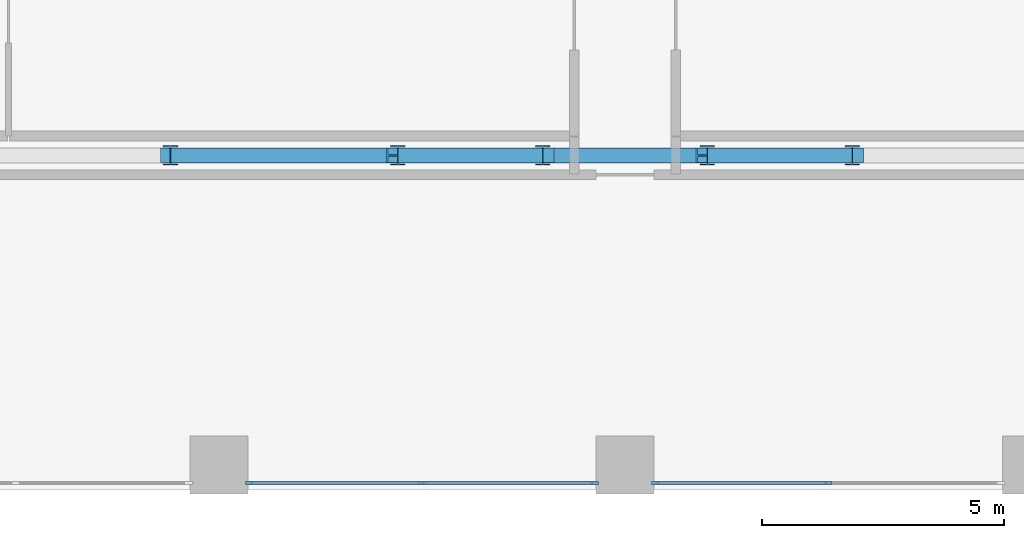
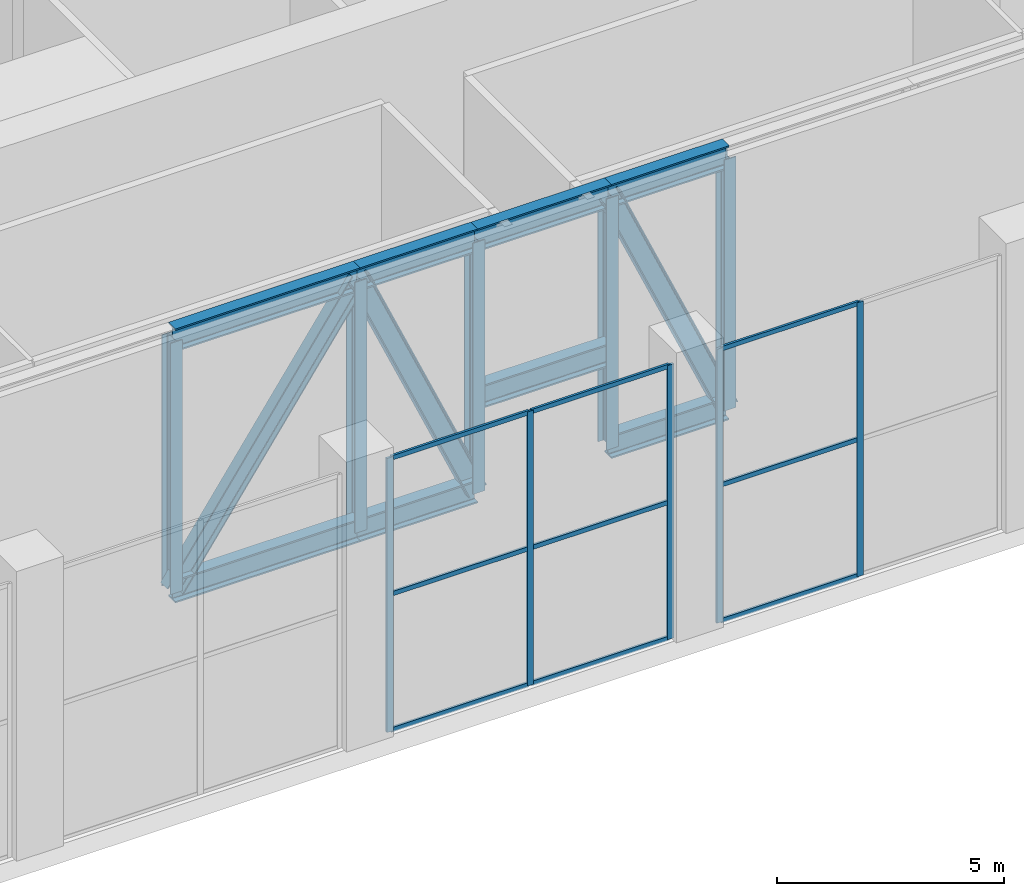
# One storey, part 3 of 21: 30 members, 2 elements without a shape of their own.
"""IFC4 building model written with IfcOpenShell, lengths in metres."""

from ifc_helpers import new_model, si_unit, direction, frame, origin, origin_2d, place, context, subcontext, project, spatial, rectangle, i_section, extrude, material, material_profile, profile_set, type_object, element, aggregate, save


model = new_model("IFC4")

# Units and contexts
model_context = context("Model", 3, precision=1e-05, world=origin(), true_north=direction((0.0, 1.0)))
body_context = subcontext(model_context, "Body", "Model", "MODEL_VIEW")
ifc_project = project(units=[si_unit("LENGTHUNIT", "METRE"), si_unit("AREAUNIT", "SQUARE_METRE"), si_unit("VOLUMEUNIT", "CUBIC_METRE"), si_unit("PLANEANGLEUNIT", "RADIAN"), si_unit("MASSUNIT", "GRAM", prefix="KILO")], contexts=[model_context])

# Site, building, storey
site_placement = place(None, origin())
site = spatial("IfcSite", under=ifc_project, at=site_placement, CompositionType="ELEMENT")
building_placement = place(site_placement, origin())
building = spatial("IfcBuilding", under=site, at=building_placement, Name="Khepri Terraces", CompositionType="ELEMENT")
storey_placement = place(building_placement, frame((0.0, 0.0, 126.0)))
storey = spatial("IfcBuildingStorey", under=building, at=storey_placement, Name="L30", CompositionType="ELEMENT", Elevation=126.0)

# Members
ifc_material_1 = material(Name="Steel S355", Category="steel")
ifc_material_profile_1 = material_profile(ifc_material_1, i_section(OverallWidth=0.304931640625, OverallDepth=0.6201171875, WebThickness=0.02099609375, FlangeThickness=0.0400390625, FilletRadius=0.027099609375, at=origin_2d()), Name="Steel S355", Category="steel")
ifc_profile_set_1 = profile_set([ifc_material_profile_1], Name="Steel S355")
member_type_1 = type_object("IfcMemberType", Name="Belt truss chord HEM 600", PredefinedType="CHORD", material=ifc_profile_set_1)
for number, where, z_axis, x_axis, name in (
    (1, (-9.39990234375, -18.800048828125, 0.31005859375), (1.0, 0.0, 0.0), (0.0, 1.0, 0.0), "Belt truss chord BT-30-S bottom 3"),
    (2, (-9.39990234375, -18.800048828125, 7.070068359375), (1.0, 0.0, 0.0), (0.0, 1.0, 0.0), "Belt truss chord BT-30-S top 3"),
):
    element("IfcMember", number, at=place(storey_placement, frame(where, z_axis=z_axis, x_axis=x_axis)), inside=storey, type_object=member_type_1, Name=name, PredefinedType="CHORD", context=body_context, shape_type="SweptSolid", body=[
        extrude(i_section(OverallWidth=0.304931640625, OverallDepth=0.6201171875, WebThickness=0.02099609375, FlangeThickness=0.0400390625, FilletRadius=0.027099609375, at=origin_2d()), origin(), (0.0, 0.0, 1.0), 4.699951171875),
    ])
for number, where, z_axis, x_axis, name in (
    (3, (-4.699951171875, -18.800048828125, 0.31005859375), (1.0, 0.0, 0.0), (0.0, 1.0, 0.0), "Belt truss chord BT-30-S bottom 4"),
    (4, (-4.699951171875, -18.800048828125, 7.070068359375), (1.0, 0.0, 0.0), (0.0, 1.0, 0.0), "Belt truss chord BT-30-S top 4"),
):
    element("IfcMember", number, at=place(storey_placement, frame(where, z_axis=z_axis, x_axis=x_axis)), inside=storey, type_object=member_type_1, Name=name, PredefinedType="CHORD", context=body_context, shape_type="SweptSolid", body=[
        extrude(i_section(OverallWidth=0.304931640625, OverallDepth=0.6201171875, WebThickness=0.02099609375, FlangeThickness=0.0400390625, FilletRadius=0.027099609375, at=origin_2d()), origin(), (0.0, 0.0, 1.0), 3.0),
    ])
for number, where, z_axis, x_axis, name in (
    (5, (-1.699951171875, -18.800048828125, 2.81005859375), (1.0, 0.0, 0.0), (0.0, 1.0, 0.0), "Belt truss chord BT-30-S bottom 5"),
    (6, (-1.699951171875, -18.800048828125, 7.070068359375), (1.0, 0.0, 0.0), (0.0, 1.0, 0.0), "Belt truss chord BT-30-S top 5"),
):
    element("IfcMember", number, at=place(storey_placement, frame(where, z_axis=z_axis, x_axis=x_axis)), inside=storey, type_object=member_type_1, Name=name, PredefinedType="CHORD", context=body_context, shape_type="SweptSolid", body=[
        extrude(i_section(OverallWidth=0.304931640625, OverallDepth=0.6201171875, WebThickness=0.02099609375, FlangeThickness=0.0400390625, FilletRadius=0.027099609375, at=origin_2d()), origin(), (0.0, 0.0, 1.0), 3.39990234375),
    ])
for number, where, z_axis, x_axis, name in (
    (7, (1.699951171875, -18.800048828125, 0.31005859375), (1.0, 0.0, 0.0), (0.0, 1.0, 0.0), "Belt truss chord BT-30-S bottom 6"),
    (8, (1.699951171875, -18.800048828125, 7.070068359375), (1.0, 0.0, 0.0), (0.0, 1.0, 0.0), "Belt truss chord BT-30-S top 6"),
):
    element("IfcMember", number, at=place(storey_placement, frame(where, z_axis=z_axis, x_axis=x_axis)), inside=storey, type_object=member_type_1, Name=name, PredefinedType="CHORD", context=body_context, shape_type="SweptSolid", body=[
        extrude(i_section(OverallWidth=0.304931640625, OverallDepth=0.6201171875, WebThickness=0.02099609375, FlangeThickness=0.0400390625, FilletRadius=0.027099609375, at=origin_2d()), origin(), (0.0, 0.0, 1.0), 3.0),
    ])
ifc_material_profile_2 = material_profile(ifc_material_1, i_section(OverallWidth=0.300048828125, OverallDepth=0.5, WebThickness=0.014404296875, FlangeThickness=0.028076171875, FilletRadius=0.027099609375, at=origin_2d()), Name="Steel S355", Category="steel")
ifc_profile_set_2 = profile_set([ifc_material_profile_2], Name="Steel S355")
member_type_2 = type_object("IfcMemberType", Name="Belt truss diagonal HEB 500", PredefinedType="BRACE", material=ifc_profile_set_2)
member_1_placement = place(storey_placement, frame((-9.39990234375, -18.800048828125, 0.31005859375), z_axis=(0.570846397071, 0.0, 0.82105687437), x_axis=(0.0, 1.0, 0.0)))
element("IfcMember", 9, at=member_1_placement, inside=storey, type_object=member_type_2, Name="Belt truss diagonal BT-30-S 3", PredefinedType="BRACE", context=body_context, shape_type="SweptSolid", body=[
    extrude(i_section(OverallWidth=0.300048828125, OverallDepth=0.5, WebThickness=0.014404296875, FlangeThickness=0.028076171875, FilletRadius=0.027099609375, at=origin_2d()), origin(), (0.0, 0.0, 1.0), 8.2333984375),
])
for number, where, z_axis, x_axis, name in (
    (10, (-4.699951171875, -18.800048828125, 7.070068359375), (0.405636096787, 0.0, -0.914034658524), (0.0, 1.0, 0.0), "Belt truss diagonal BT-30-S 4"),
    (11, (1.699951171875, -18.800048828125, 7.070068359375), (0.405636096787, 0.0, -0.914034658524), (0.0, 1.0, 0.0), "Belt truss diagonal BT-30-S 6"),
):
    element("IfcMember", number, at=place(storey_placement, frame(where, z_axis=z_axis, x_axis=x_axis)), inside=storey, type_object=member_type_2, Name=name, PredefinedType="BRACE", context=body_context, shape_type="SweptSolid", body=[
        extrude(i_section(OverallWidth=0.300048828125, OverallDepth=0.5, WebThickness=0.014404296875, FlangeThickness=0.028076171875, FilletRadius=0.027099609375, at=origin_2d()), origin(), (0.0, 0.0, 1.0), 7.395751953125),
    ])
ifc_material_profile_3 = material_profile(ifc_material_1, i_section(OverallWidth=0.300048828125, OverallDepth=0.39990234375, WebThickness=0.013427734375, FlangeThickness=0.02392578125, FilletRadius=0.027099609375, at=origin_2d()), Name="Steel S355", Category="steel")
ifc_profile_set_3 = profile_set([ifc_material_profile_3], Name="Steel S355")
member_type_3 = type_object("IfcMemberType", Name="Belt truss post HEB 400", PredefinedType="POST", material=ifc_profile_set_3)
for number, where, z_axis, x_axis, name in (
    (12, (-9.39990234375, -18.800048828125, 0.31005859375), (0.0, 0.0, 1.0), (1.0, 0.0, 0.0), "Belt truss post BT-30-S 2"),
    (13, (-4.699951171875, -18.800048828125, 0.31005859375), (0.0, 0.0, 1.0), (1.0, 0.0, 0.0), "Belt truss post BT-30-S 3"),
    (14, (-1.699951171875, -18.800048828125, 0.31005859375), (0.0, 0.0, 1.0), (1.0, 0.0, 0.0), "Belt truss post BT-30-S 4"),
    (15, (1.699951171875, -18.800048828125, 0.31005859375), (0.0, 0.0, 1.0), (1.0, 0.0, 0.0), "Belt truss post BT-30-S 5"),
    (16, (4.699951171875, -18.800048828125, 0.31005859375), (0.0, 0.0, 1.0), (1.0, 0.0, 0.0), "Belt truss post BT-30-S 6"),
):
    element("IfcMember", number, at=place(storey_placement, frame(where, z_axis=z_axis, x_axis=x_axis)), inside=storey, type_object=member_type_3, Name=name, PredefinedType="POST", context=body_context, shape_type="SweptSolid", body=[
        extrude(i_section(OverallWidth=0.300048828125, OverallDepth=0.39990234375, WebThickness=0.013427734375, FlangeThickness=0.02392578125, FilletRadius=0.027099609375, at=origin_2d()), origin(), (0.0, 0.0, 1.0), 6.760009765625),
    ])

# Curtain wall, members
ifc_material_2 = material(Name="Anodised aluminium bronze curtain wall", Category="aluminium")
curtain_wall_type = type_object("IfcCurtainWallType", Name="CW-SYS3-SKY", PredefinedType="NOTDEFINED", material=ifc_material_2)
curtain_wall_1_placement = place(storey_placement, origin())
curtain_wall_1 = element("IfcCurtainWall", 17, at=curtain_wall_1_placement, inside=storey, type_object=curtain_wall_type, Name="Curtain wall CW3 L30 S", PredefinedType="NOTDEFINED")
ifc_material_3 = material(Name="Anodised aluminium bronze", Category="aluminium")
ifc_material_profile_4 = material_profile(ifc_material_3, rectangle(XDim=0.06005859375, YDim=0.159912109375, at=origin_2d()), Name="Anodised aluminium bronze", Category="aluminium")
ifc_profile_set_4 = profile_set([ifc_material_profile_4], Name="Anodised aluminium bronze")
member_type_4 = type_object("IfcMemberType", Name="CW-MULLION-60x160", PredefinedType="MULLION", material=ifc_profile_set_4)
member_2_placement = place(storey_placement, frame((-7.77001953125, -25.570068359375, 0.0), z_axis=(0.0, 0.0, 1.0), x_axis=(0.0, 1.0, 0.0)))
member_2 = element("IfcMember", 18, at=member_2_placement, type_object=member_type_4, Name="CW3 mullion 1", PredefinedType="MULLION", context=body_context, shape_type="SweptSolid", body=[
    extrude(rectangle(XDim=0.06005859375, YDim=0.159912109375, at=origin_2d()), origin(), (0.0, 0.0, 1.0), 7.3798828125),
])
member_3_placement = place(storey_placement, frame((-4.199951171875, -25.570068359375, 0.0), z_axis=(0.0, 0.0, 1.0), x_axis=(0.0, 1.0, 0.0)))
member_3 = element("IfcMember", 19, at=member_3_placement, type_object=member_type_4, Name="CW3 mullion 2", PredefinedType="MULLION", context=body_context, shape_type="SweptSolid", body=[
    extrude(rectangle(XDim=0.06005859375, YDim=0.159912109375, at=origin_2d()), origin(), (0.0, 0.0, 1.0), 7.3798828125),
])
member_4_placement = place(storey_placement, frame((-0.6298828125, -25.570068359375, 0.0), z_axis=(0.0, 0.0, 1.0), x_axis=(0.0, 1.0, 0.0)))
member_4 = element("IfcMember", 20, at=member_4_placement, type_object=member_type_4, Name="CW3 mullion 3", PredefinedType="MULLION", context=body_context, shape_type="SweptSolid", body=[
    extrude(rectangle(XDim=0.06005859375, YDim=0.159912109375, at=origin_2d()), origin(), (0.0, 0.0, 1.0), 7.3798828125),
])

curtain_wall_2_placement = place(storey_placement, origin())
curtain_wall_2 = element("IfcCurtainWall", 21, at=curtain_wall_2_placement, inside=storey, type_object=curtain_wall_type, Name="Curtain wall CW3 L30 S", PredefinedType="NOTDEFINED")
member_5_placement = place(storey_placement, frame((0.6298828125, -25.570068359375, 0.0), z_axis=(0.0, 0.0, 1.0), x_axis=(0.0, 1.0, 0.0)))
member_5 = element("IfcMember", 22, at=member_5_placement, type_object=member_type_4, Name="CW3 mullion 1", PredefinedType="MULLION", context=body_context, shape_type="SweptSolid", body=[
    extrude(rectangle(XDim=0.06005859375, YDim=0.159912109375, at=origin_2d()), origin(), (0.0, 0.0, 1.0), 7.3798828125),
])
member_6_placement = place(storey_placement, frame((4.199951171875, -25.570068359375, 0.0), z_axis=(0.0, 0.0, 1.0), x_axis=(0.0, 1.0, 0.0)))
member_6 = element("IfcMember", 23, at=member_6_placement, type_object=member_type_4, Name="CW3 mullion 2", PredefinedType="MULLION", context=body_context, shape_type="SweptSolid", body=[
    extrude(rectangle(XDim=0.06005859375, YDim=0.159912109375, at=origin_2d()), origin(), (0.0, 0.0, 1.0), 7.3798828125),
])

# Member
ifc_material_profile_5 = material_profile(ifc_material_3, rectangle(XDim=0.06005859375, YDim=0.1201171875, at=origin_2d()), Name="Anodised aluminium bronze", Category="aluminium")
ifc_profile_set_5 = profile_set([ifc_material_profile_5], Name="Anodised aluminium bronze")
member_type_5 = type_object("IfcMemberType", Name="CW-TRANSOM-60x120", PredefinedType="USERDEFINED", material=ifc_profile_set_5)
member_7_placement = place(storey_placement, frame((-7.739990234375, -25.570068359375, 0.030029296875), z_axis=(1.0, 0.0, 0.0), x_axis=(0.0, 1.0, 0.0)))
member_7 = element("IfcMember", 24, at=member_7_placement, type_object=member_type_5, Name="CW3 transom 1.1", ObjectType="TRANSOM", PredefinedType="USERDEFINED", context=body_context, shape_type="SweptSolid", body=[
    extrude(rectangle(XDim=0.06005859375, YDim=0.1201171875, at=origin_2d()), origin(), (0.0, 0.0, 1.0), 3.510009765625),
])

member_8_placement = place(storey_placement, frame((-7.739990234375, -25.570068359375, 3.68994140625), z_axis=(1.0, 0.0, 0.0), x_axis=(0.0, 1.0, 0.0)))
member_8 = element("IfcMember", 25, at=member_8_placement, type_object=member_type_5, Name="CW3 transom 1.2", ObjectType="TRANSOM", PredefinedType="USERDEFINED", context=body_context, shape_type="SweptSolid", body=[
    extrude(rectangle(XDim=0.06005859375, YDim=0.1201171875, at=origin_2d()), origin(), (0.0, 0.0, 1.0), 3.510009765625),
])

member_9_placement = place(storey_placement, frame((-7.739990234375, -25.570068359375, 7.35009765625), z_axis=(1.0, 0.0, 0.0), x_axis=(0.0, 1.0, 0.0)))
member_9 = element("IfcMember", 26, at=member_9_placement, type_object=member_type_5, Name="CW3 transom 1.3", ObjectType="TRANSOM", PredefinedType="USERDEFINED", context=body_context, shape_type="SweptSolid", body=[
    extrude(rectangle(XDim=0.06005859375, YDim=0.1201171875, at=origin_2d()), origin(), (0.0, 0.0, 1.0), 3.510009765625),
])

member_10_placement = place(storey_placement, frame((-4.169921875, -25.570068359375, 0.030029296875), z_axis=(1.0, 0.0, 0.0), x_axis=(0.0, 1.0, 0.0)))
member_10 = element("IfcMember", 27, at=member_10_placement, type_object=member_type_5, Name="CW3 transom 2.1", ObjectType="TRANSOM", PredefinedType="USERDEFINED", context=body_context, shape_type="SweptSolid", body=[
    extrude(rectangle(XDim=0.06005859375, YDim=0.1201171875, at=origin_2d()), origin(), (0.0, 0.0, 1.0), 3.510009765625),
])

member_11_placement = place(storey_placement, frame((-4.169921875, -25.570068359375, 3.68994140625), z_axis=(1.0, 0.0, 0.0), x_axis=(0.0, 1.0, 0.0)))
member_11 = element("IfcMember", 28, at=member_11_placement, type_object=member_type_5, Name="CW3 transom 2.2", ObjectType="TRANSOM", PredefinedType="USERDEFINED", context=body_context, shape_type="SweptSolid", body=[
    extrude(rectangle(XDim=0.06005859375, YDim=0.1201171875, at=origin_2d()), origin(), (0.0, 0.0, 1.0), 3.510009765625),
])

member_12_placement = place(storey_placement, frame((-4.169921875, -25.570068359375, 7.35009765625), z_axis=(1.0, 0.0, 0.0), x_axis=(0.0, 1.0, 0.0)))
member_12 = element("IfcMember", 29, at=member_12_placement, type_object=member_type_5, Name="CW3 transom 2.3", ObjectType="TRANSOM", PredefinedType="USERDEFINED", context=body_context, shape_type="SweptSolid", body=[
    extrude(rectangle(XDim=0.06005859375, YDim=0.1201171875, at=origin_2d()), origin(), (0.0, 0.0, 1.0), 3.510009765625),
])

aggregate(curtain_wall_1, [member_2, member_3, member_4, member_7, member_8, member_9, member_10, member_11, member_12])

member_13_placement = place(storey_placement, frame((0.659912109375, -25.570068359375, 0.030029296875), z_axis=(1.0, 0.0, 0.0), x_axis=(0.0, 1.0, 0.0)))
member_13 = element("IfcMember", 30, at=member_13_placement, type_object=member_type_5, Name="CW3 transom 1.1", ObjectType="TRANSOM", PredefinedType="USERDEFINED", context=body_context, shape_type="SweptSolid", body=[
    extrude(rectangle(XDim=0.06005859375, YDim=0.1201171875, at=origin_2d()), origin(), (0.0, 0.0, 1.0), 3.510009765625),
])

member_14_placement = place(storey_placement, frame((0.659912109375, -25.570068359375, 3.68994140625), z_axis=(1.0, 0.0, 0.0), x_axis=(0.0, 1.0, 0.0)))
member_14 = element("IfcMember", 31, at=member_14_placement, type_object=member_type_5, Name="CW3 transom 1.2", ObjectType="TRANSOM", PredefinedType="USERDEFINED", context=body_context, shape_type="SweptSolid", body=[
    extrude(rectangle(XDim=0.06005859375, YDim=0.1201171875, at=origin_2d()), origin(), (0.0, 0.0, 1.0), 3.510009765625),
])

member_15_placement = place(storey_placement, frame((0.659912109375, -25.570068359375, 7.35009765625), z_axis=(1.0, 0.0, 0.0), x_axis=(0.0, 1.0, 0.0)))
member_15 = element("IfcMember", 32, at=member_15_placement, type_object=member_type_5, Name="CW3 transom 1.3", ObjectType="TRANSOM", PredefinedType="USERDEFINED", context=body_context, shape_type="SweptSolid", body=[
    extrude(rectangle(XDim=0.06005859375, YDim=0.1201171875, at=origin_2d()), origin(), (0.0, 0.0, 1.0), 3.510009765625),
])

aggregate(curtain_wall_2, [member_5, member_6, member_13, member_14, member_15])

save(model, "model.ifc")
